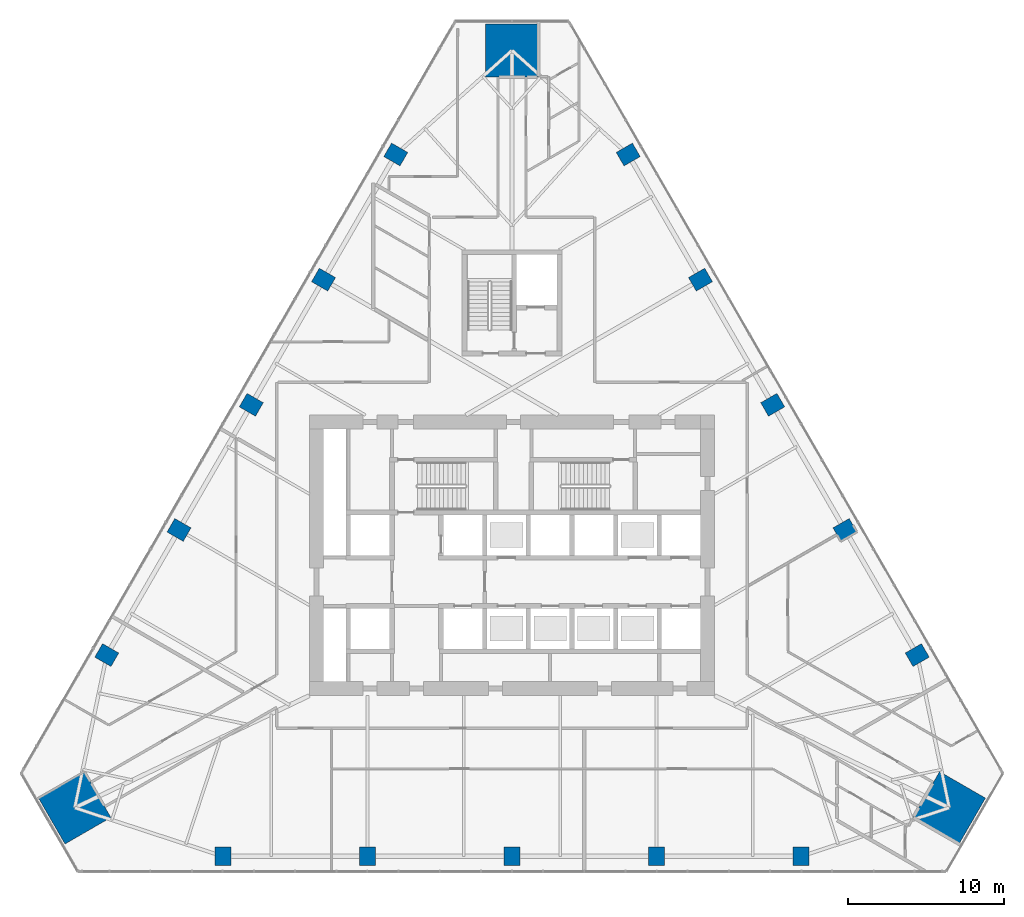
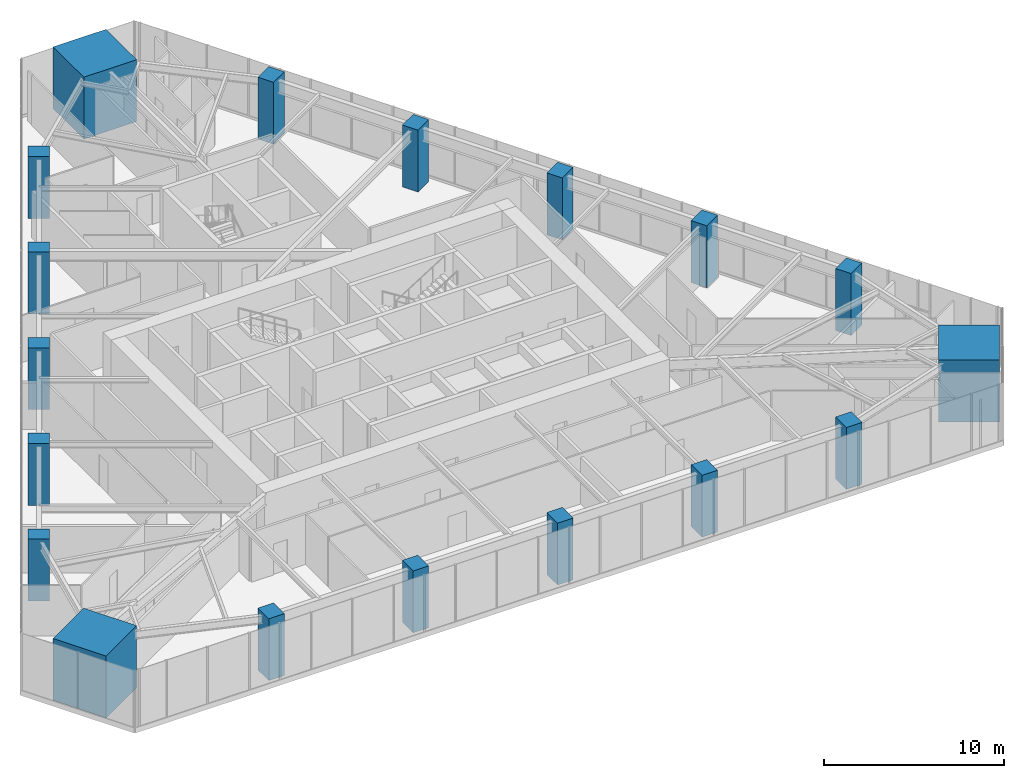
# One storey, part 1 of 22: 18 columns.
"""IFC4 building model written with IfcOpenShell, lengths in metres."""

from ifc_helpers import new_model, si_unit, direction, frame, origin, origin_2d, place, context, subcontext, project, spatial, rectangle, extrude, material, material_profile, profile_set, type_object, element, save


model = new_model("IFC4")

# Units and contexts
model_context = context("Model", 3, precision=1e-05, world=origin(), true_north=direction((0.0, 1.0)))
body_context = subcontext(model_context, "Body", "Model", "MODEL_VIEW")
ifc_project = project(units=[si_unit("LENGTHUNIT", "METRE"), si_unit("AREAUNIT", "SQUARE_METRE"), si_unit("VOLUMEUNIT", "CUBIC_METRE"), si_unit("PLANEANGLEUNIT", "RADIAN"), si_unit("MASSUNIT", "GRAM", prefix="KILO")], contexts=[model_context])

# Site, building, storey
site_placement = place(None, origin())
site = spatial("IfcSite", under=ifc_project, at=site_placement, CompositionType="ELEMENT")
building_placement = place(site_placement, origin())
building = spatial("IfcBuilding", under=site, at=building_placement, Name="Firuza Gate Tower and Library", CompositionType="ELEMENT")
storey_placement = place(building_placement, frame((0.0, 0.0, 132.39990234375)))
storey = spatial("IfcBuildingStorey", under=building, at=storey_placement, Name="L30", CompositionType="ELEMENT", Elevation=132.39990234375)

# Columns
ifc_material_1 = material(Name="Concrete C80/95", Category="concrete")
ifc_material_profile_1 = material_profile(ifc_material_1, rectangle(XDim=3.39990234375, YDim=3.39990234375, at=origin_2d()))
ifc_profile_set_1 = profile_set([ifc_material_profile_1], Name="Concrete C80/95")
column_type_1 = type_object("IfcColumnType", Name="Mega column 3400x3400 C80/95", PredefinedType="COLUMN", material=ifc_profile_set_1)
for number, where, z_axis, x_axis, name in (
    (1, (103.05810546875, 58.80078125, 0.0), (0.0, 0.0, 1.0), (0.5, 0.866025403784, 0.0), "Mega column SE L30"),
    (2, (75.0, 107.398681640625, 0.0), (0.0, 0.0, 1.0), (-1.0, 0.0, 0.0), "Mega column N L30"),
    (3, (46.94189453125, 58.80078125, 0.0), (0.0, 0.0, 1.0), (0.5, -0.866025403784, 0.0), "Mega column SW L30"),
):
    element("IfcColumn", number, at=place(storey_placement, frame(where, z_axis=z_axis, x_axis=x_axis)), inside=storey, type_object=column_type_1, Name=name, PredefinedType="COLUMN", context=body_context, shape_type="SweptSolid", body=[
        extrude(rectangle(XDim=3.39990234375, YDim=3.39990234375, at=origin_2d()), origin(), (0.0, 0.0, 1.0), 4.2001953125),
    ])
ifc_material_2 = material(Name="Concrete C60/75", Category="concrete")
ifc_material_profile_2 = material_profile(ifc_material_2, rectangle(XDim=1.0, YDim=1.199951171875, at=origin_2d()))
ifc_profile_set_2 = profile_set([ifc_material_profile_2], Name="Concrete C60/75")
column_type_2 = type_object("IfcColumnType", Name="Perimeter column 1000x1200 C60/75", PredefinedType="COLUMN", material=ifc_profile_set_2)
for number, where, z_axis, x_axis, name in (
    (4, (56.455322265625, 55.68310546875, -0.000244140625), (0.0, 0.0, 1.0), (1.0, 0.0, 0.0), "Column S1 L30"),
    (5, (65.727783203125, 55.68310546875, -0.000244140625), (0.0, 0.0, 1.0), (1.0, 0.0, 0.0), "Column S2 L30"),
    (6, (75.0, 55.68310546875, -0.000244140625), (0.0, 0.0, 1.0), (1.0, 0.0, 0.0), "Column S3 L30"),
    (7, (84.272216796875, 55.68310546875, -0.000244140625), (0.0, 0.0, 1.0), (1.0, 0.0, 0.0), "Column S4 L30"),
    (8, (93.544677734375, 55.68310546875, -0.000244140625), (0.0, 0.0, 1.0), (1.0, 0.0, 0.0), "Column S5 L30"),
    (9, (101.001220703125, 68.598388671875, -0.000244140625), (0.0, 0.0, 1.0), (-0.5, 0.866025403784, 0.0), "Column E1 L30"),
    (10, (96.365234375, 76.62841796875, -0.000244140625), (0.0, 0.0, 1.0), (-0.5, 0.866025403784, 0.0), "Column E2 L30"),
    (11, (91.72900390625, 84.658447265625, -0.000244140625), (0.0, 0.0, 1.0), (-0.5, 0.866025403784, 0.0), "Column E3 L30"),
    (12, (87.0927734375, 92.6884765625, -0.000244140625), (0.0, 0.0, 1.0), (-0.5, 0.866025403784, 0.0), "Column E4 L30"),
    (13, (82.456787109375, 100.718505859375, -0.000244140625), (0.0, 0.0, 1.0), (-0.5, 0.866025403784, 0.0), "Column E5 L30"),
    (14, (67.543212890625, 100.718505859375, -0.000244140625), (0.0, 0.0, 1.0), (-0.5, -0.866025403784, 0.0), "Column W1 L30"),
    (15, (62.9072265625, 92.6884765625, -0.000244140625), (0.0, 0.0, 1.0), (-0.5, -0.866025403784, 0.0), "Column W2 L30"),
    (16, (58.27099609375, 84.658447265625, -0.000244140625), (0.0, 0.0, 1.0), (-0.5, -0.866025403784, 0.0), "Column W3 L30"),
    (17, (53.634765625, 76.62841796875, -0.000244140625), (0.0, 0.0, 1.0), (-0.5, -0.866025403784, 0.0), "Column W4 L30"),
    (18, (48.998779296875, 68.598388671875, -0.000244140625), (0.0, 0.0, 1.0), (-0.5, -0.866025403784, 0.0), "Column W5 L30"),
):
    element("IfcColumn", number, at=place(storey_placement, frame(where, z_axis=z_axis, x_axis=x_axis)), inside=storey, type_object=column_type_2, Name=name, PredefinedType="COLUMN", context=body_context, shape_type="SweptSolid", body=[
        extrude(rectangle(XDim=1.0, YDim=1.199951171875, at=origin_2d()), origin(), (0.0, 0.0, 1.0), 4.200439453125),
    ])

save(model, "model.ifc")
